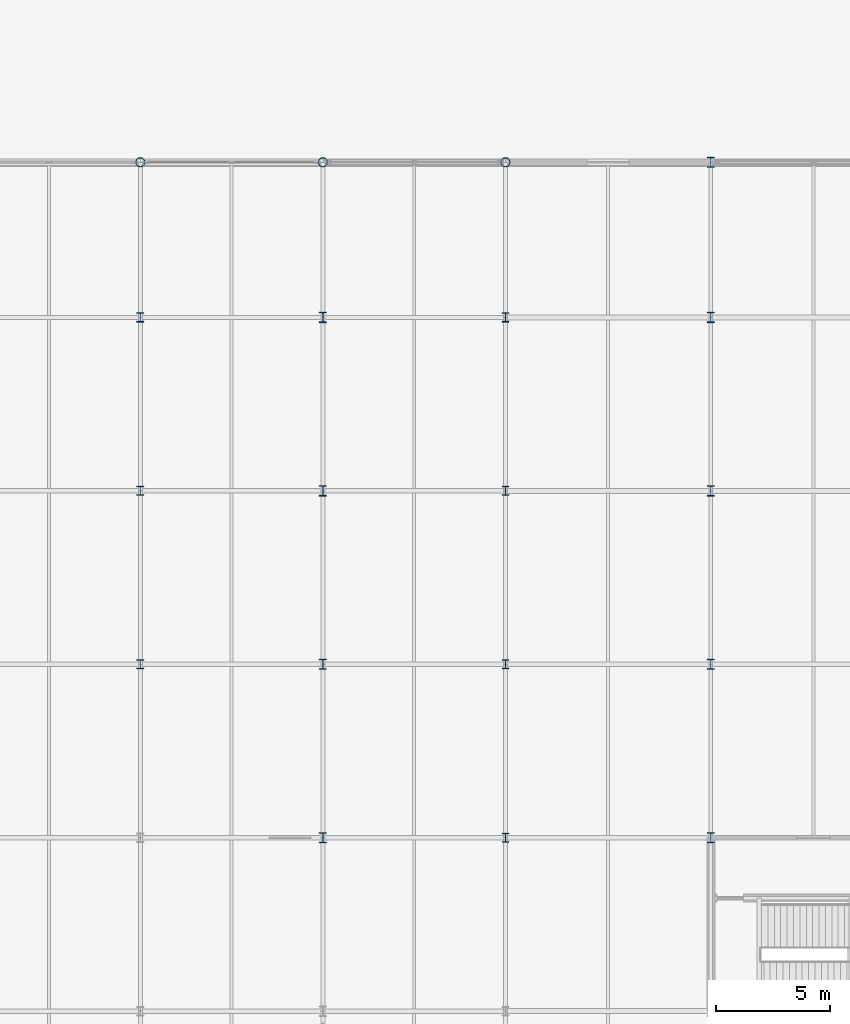
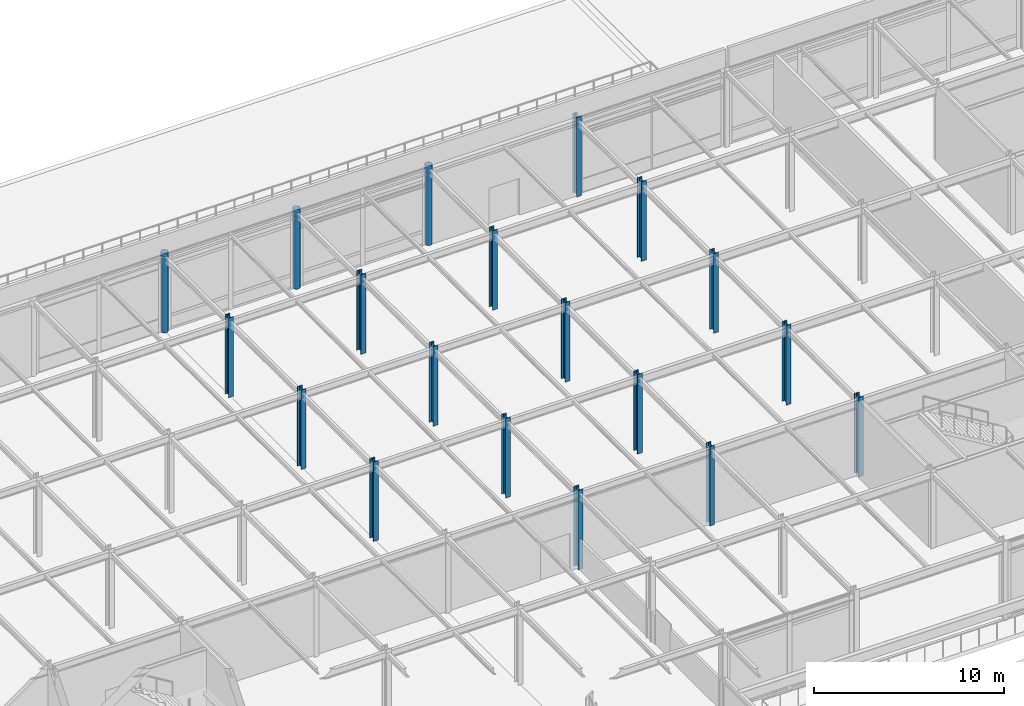
# One storey, part 12 of 113: 19 columns.
"""IFC4 building model written with IfcOpenShell, lengths in metres."""

from ifc_helpers import new_model, si_unit, direction, frame, origin, origin_2d, place, context, subcontext, project, spatial, hollow_circle, i_section, extrude, material, material_profile, profile_set, type_object, element, save


model = new_model("IFC4")

# Units and contexts
model_context = context("Model", 3, precision=1e-05, world=origin(), true_north=direction((0.0, 1.0)))
body_context = subcontext(model_context, "Body", "Model", "MODEL_VIEW")
ifc_project = project(units=[si_unit("LENGTHUNIT", "METRE"), si_unit("AREAUNIT", "SQUARE_METRE"), si_unit("VOLUMEUNIT", "CUBIC_METRE"), si_unit("PLANEANGLEUNIT", "RADIAN"), si_unit("MASSUNIT", "GRAM", prefix="KILO")], contexts=[model_context])

# Site, building, storey
site_placement = place(None, origin())
site = spatial("IfcSite", under=ifc_project, at=site_placement, CompositionType="ELEMENT")
building_placement = place(site_placement, origin())
building = spatial("IfcBuilding", under=site, at=building_placement, Name="Shalkamar Park Central Library", CompositionType="ELEMENT")
storey_placement = place(building_placement, frame((0.0, 0.0, 5.39990234375)))
storey = spatial("IfcBuildingStorey", under=building, at=storey_placement, Name="L02", CompositionType="ELEMENT", Elevation=5.39990234375)

# Columns
ifc_material = material(Name="Steel S355", Category="steel")
ifc_material_profile_1 = material_profile(ifc_material, i_section(OverallWidth=0.300048828125, OverallDepth=0.39990234375, WebThickness=0.013427734375, FlangeThickness=0.02392578125, FilletRadius=0.027099609375, at=origin_2d()), Name="HEB 400")
ifc_profile_set_1 = profile_set([ifc_material_profile_1], Name="Steel S355")
column_type_1 = type_object("IfcColumnType", Name="Column Steel HEB400", PredefinedType="COLUMN", material=ifc_profile_set_1)
for number, where, z_axis, x_axis, name in (
    (1, (221.0, 316.0, 0.0), (0.0, 0.0, 1.0), (1.0, 0.0, 0.0), "Column 14/L (L02)"),
    (2, (221.0, 323.60009765625, 0.0), (0.0, 0.0, 1.0), (1.0, 0.0, 0.0), "Column 14/M (L02)"),
    (3, (221.0, 331.199951171875, 0.0), (0.0, 0.0, 1.0), (1.0, 0.0, 0.0), "Column 14/N (L02)"),
    (4, (237.0, 308.39990234375, 0.0), (0.0, 0.0, 1.0), (1.0, 0.0, 0.0), "Column 16/K (L02)"),
    (5, (237.0, 316.0, 0.0), (0.0, 0.0, 1.0), (1.0, 0.0, 0.0), "Column 16/L (L02)"),
    (6, (237.0, 323.60009765625, 0.0), (0.0, 0.0, 1.0), (1.0, 0.0, 0.0), "Column 16/M (L02)"),
    (7, (237.0, 331.199951171875, 0.0), (0.0, 0.0, 1.0), (1.0, 0.0, 0.0), "Column 16/N (L02)"),
):
    element("IfcColumn", number, at=place(storey_placement, frame(where, z_axis=z_axis, x_axis=x_axis)), inside=storey, type_object=column_type_1, Name=name, PredefinedType="COLUMN", context=body_context, shape_type="SweptSolid", body=[
        extrude(i_section(OverallWidth=0.300048828125, OverallDepth=0.39990234375, WebThickness=0.013427734375, FlangeThickness=0.02392578125, FilletRadius=0.027099609375, at=origin_2d()), origin(), (0.0, 0.0, 1.0), 5.10009765625),
    ])
ifc_material_profile_2 = material_profile(ifc_material, i_section(OverallWidth=0.300048828125, OverallDepth=0.449951171875, WebThickness=0.013916015625, FlangeThickness=0.02587890625, FilletRadius=0.027099609375, at=origin_2d()), Name="HEB 450")
ifc_profile_set_2 = profile_set([ifc_material_profile_2], Name="Steel S355")
column_type_2 = type_object("IfcColumnType", Name="Column Steel HEB450", PredefinedType="COLUMN", material=ifc_profile_set_2)
for number, where, z_axis, x_axis, name in (
    (8, (229.0, 308.39990234375, 0.0), (0.0, 0.0, 1.0), (1.0, 0.0, 0.0), "Column 15/K (L02)"),
    (9, (229.0, 316.0, 0.0), (0.0, 0.0, 1.0), (1.0, 0.0, 0.0), "Column 15/L (L02)"),
    (10, (229.0, 323.60009765625, 0.0), (0.0, 0.0, 1.0), (1.0, 0.0, 0.0), "Column 15/M (L02)"),
    (11, (229.0, 331.199951171875, 0.0), (0.0, 0.0, 1.0), (1.0, 0.0, 0.0), "Column 15/N (L02)"),
    (12, (246.0, 308.39990234375, 0.0), (0.0, 0.0, 1.0), (1.0, 0.0, 0.0), "Column 17/K (L02)"),
    (13, (246.0, 316.0, 0.0), (0.0, 0.0, 1.0), (1.0, 0.0, 0.0), "Column 17/L (L02)"),
    (14, (246.0, 323.60009765625, 0.0), (0.0, 0.0, 1.0), (1.0, 0.0, 0.0), "Column 17/M (L02)"),
    (15, (246.0, 331.199951171875, 0.0), (0.0, 0.0, 1.0), (1.0, 0.0, 0.0), "Column 17/N (L02)"),
    (16, (246.0, 338.0, 0.0), (0.0, 0.0, 1.0), (1.0, 0.0, 0.0), "Column 17/P (L02)"),
):
    element("IfcColumn", number, at=place(storey_placement, frame(where, z_axis=z_axis, x_axis=x_axis)), inside=storey, type_object=column_type_2, Name=name, PredefinedType="COLUMN", context=body_context, shape_type="SweptSolid", body=[
        extrude(i_section(OverallWidth=0.300048828125, OverallDepth=0.449951171875, WebThickness=0.013916015625, FlangeThickness=0.02587890625, FilletRadius=0.027099609375, at=origin_2d()), origin(), (0.0, 0.0, 1.0), 5.10009765625),
    ])
ifc_material_profile_3 = material_profile(ifc_material, hollow_circle(Radius=0.203125, WallThickness=0.01611328125, at=origin_2d()), Name="CHS 406.4x16")
ifc_profile_set_3 = profile_set([ifc_material_profile_3], Name="Steel S355")
column_type_3 = type_object("IfcColumnType", Name="Column Tube CHS406", PredefinedType="COLUMN", material=ifc_profile_set_3)
for number, where, z_axis, x_axis, name in (
    (17, (221.0, 338.0, 0.0), (0.0, 0.0, 1.0), (1.0, 0.0, 0.0), "Column 14/P (L02)"),
    (18, (229.0, 338.0, 0.0), (0.0, 0.0, 1.0), (1.0, 0.0, 0.0), "Column 15/P (L02)"),
    (19, (237.0, 338.0, 0.0), (0.0, 0.0, 1.0), (1.0, 0.0, 0.0), "Column 16/P (L02)"),
):
    element("IfcColumn", number, at=place(storey_placement, frame(where, z_axis=z_axis, x_axis=x_axis)), inside=storey, type_object=column_type_3, Name=name, PredefinedType="COLUMN", context=body_context, shape_type="SweptSolid", body=[
        extrude(hollow_circle(Radius=0.203125, WallThickness=0.01611328125, at=origin_2d()), origin(), (0.0, 0.0, 1.0), 5.10009765625),
    ])

save(model, "model.ifc")
